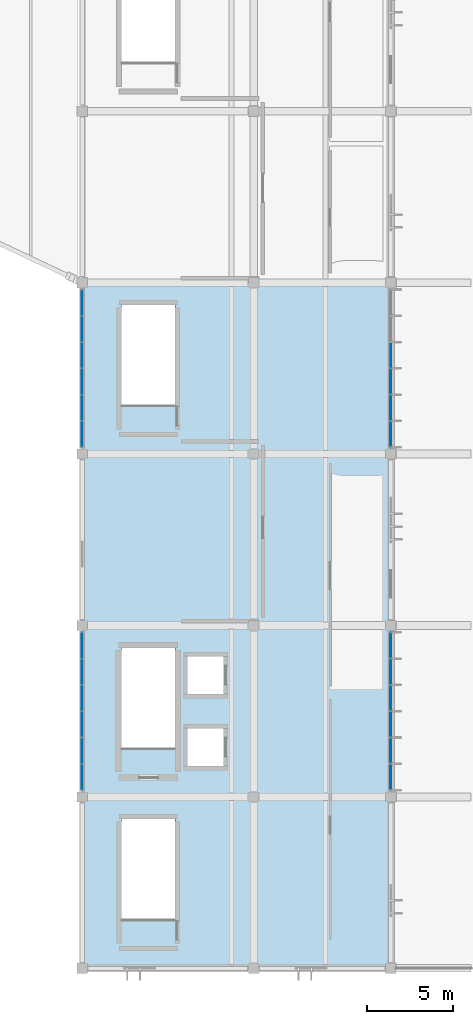
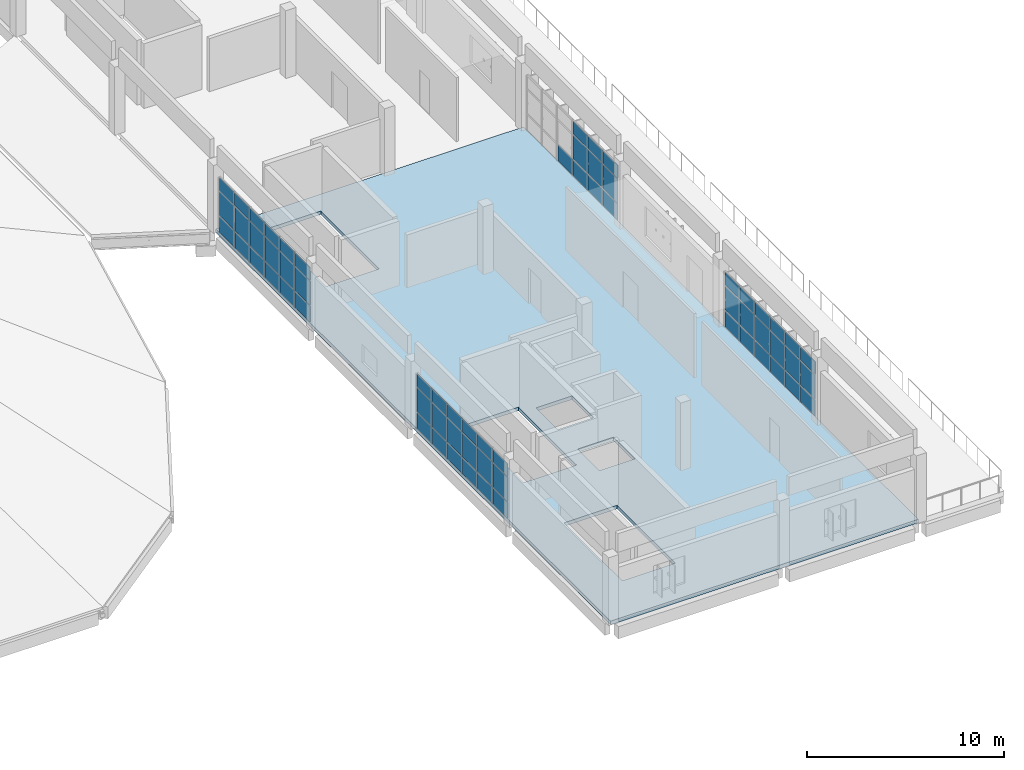
# One storey, part 16 of 39: 64 plates, 1 slab, 4 elements without a shape of their own.
"""IFC4 building model written with IfcOpenShell, lengths in metres."""

from ifc_helpers import new_model, si_unit, direction, frame, origin, origin_2d, place, context, subcontext, project, spatial, polyline, rectangle, outline, extrude, material, layer, layer_set, type_object, element, aggregate, save


model = new_model("IFC4")

# Units and contexts
model_context = context("Model", 3, precision=1e-05, world=origin(), true_north=direction((0.0, 1.0)))
body_context = subcontext(model_context, "Body", "Model", "MODEL_VIEW")
ifc_project = project(units=[si_unit("LENGTHUNIT", "METRE"), si_unit("AREAUNIT", "SQUARE_METRE"), si_unit("VOLUMEUNIT", "CUBIC_METRE"), si_unit("PLANEANGLEUNIT", "RADIAN"), si_unit("MASSUNIT", "GRAM", prefix="KILO")], contexts=[model_context])

# Site, building, storey
site_placement = place(None, origin())
site = spatial("IfcSite", under=ifc_project, at=site_placement, CompositionType="ELEMENT")
building_placement = place(site_placement, origin())
building = spatial("IfcBuilding", under=site, at=building_placement, Name="Corvandel Quay Wholesale Market", CompositionType="ELEMENT")
storey_placement = place(building_placement, frame((0.0, 0.0, 15.0)))
storey = spatial("IfcBuildingStorey", under=building, at=storey_placement, Name="L03", CompositionType="ELEMENT", Elevation=15.0)

# Curtain wall, plates
ifc_material_1 = material(Name="Bronze anodised aluminium and low-E insulated glazing", Category="aluminium")
ifc_layer_1 = layer(ifc_material_1, 0.197998046875)
ifc_layer_set_1 = layer_set([ifc_layer_1], Name="Bronze anodised aluminium and low-E insulated glazing")
curtain_wall_type_1 = type_object("IfcCurtainWallType", Name="Stick Curtain Wall System CW14 H4260", PredefinedType="NOTDEFINED", material=ifc_layer_set_1)
curtain_wall_1_placement = place(storey_placement, origin())
curtain_wall_1 = element("IfcCurtainWall", 1, at=curtain_wall_1_placement, inside=storey, type_object=curtain_wall_type_1, Name="Curtain Wall CW-0162", PredefinedType="NOTDEFINED")
ifc_material_2 = material(Name="Solar-control low-E insulated glazing", Category="glass")
ifc_layer_2 = layer(ifc_material_2, 0.0400390625)
ifc_layer_set_2 = layer_set([ifc_layer_2], Name="Solar-control low-E insulated glazing")
plate_type_1 = type_object("IfcPlateType", Name="Ceramic Fritted Spandrel Panel PN03 40mm", PredefinedType="CURTAIN_PANEL", material=ifc_layer_set_2)
plate_1_placement = place(storey_placement, frame((238.0, 21.166748046875, 2.6298828125), z_axis=(0.0, 0.0, 1.0), x_axis=(0.0, 1.0, 0.0)))
plate_1 = element("IfcPlate", 2, at=plate_1_placement, type_object=plate_type_1, Name="Glazing Panel CW-0162-P00-2", PredefinedType="CURTAIN_PANEL", context=body_context, shape_type="SweptSolid", body=[
    extrude(rectangle(XDim=1.46826171875, YDim=0.0400390625, at=origin_2d()), origin(), (0.0, 0.0, 1.0), 0.7900390625),
])
plate_2_placement = place(storey_placement, frame((238.0, 22.699951171875, 2.6298828125), z_axis=(0.0, 0.0, 1.0), x_axis=(0.0, 1.0, 0.0)))
plate_2 = element("IfcPlate", 3, at=plate_2_placement, type_object=plate_type_1, Name="Glazing Panel CW-0162-P01-2", PredefinedType="CURTAIN_PANEL", context=body_context, shape_type="SweptSolid", body=[
    extrude(rectangle(XDim=1.46826171875, YDim=0.0400390625, at=origin_2d()), origin(), (0.0, 0.0, 1.0), 0.7900390625),
])
plate_3_placement = place(storey_placement, frame((238.0, 24.2333984375, 2.6298828125), z_axis=(0.0, 0.0, 1.0), x_axis=(0.0, 1.0, 0.0)))
plate_3 = element("IfcPlate", 4, at=plate_3_placement, type_object=plate_type_1, Name="Glazing Panel CW-0162-P02-2", PredefinedType="CURTAIN_PANEL", context=body_context, shape_type="SweptSolid", body=[
    extrude(rectangle(XDim=1.46826171875, YDim=0.0400390625, at=origin_2d()), origin(), (0.0, 0.0, 1.0), 0.7900390625),
])
plate_4_placement = place(storey_placement, frame((238.0, 25.7666015625, 2.6298828125), z_axis=(0.0, 0.0, 1.0), x_axis=(0.0, 1.0, 0.0)))
plate_4 = element("IfcPlate", 5, at=plate_4_placement, type_object=plate_type_1, Name="Glazing Panel CW-0162-P03-2", PredefinedType="CURTAIN_PANEL", context=body_context, shape_type="SweptSolid", body=[
    extrude(rectangle(XDim=1.46826171875, YDim=0.0400390625, at=origin_2d()), origin(), (0.0, 0.0, 1.0), 0.7900390625),
])
plate_5_placement = place(storey_placement, frame((238.0, 27.300048828125, 2.6298828125), z_axis=(0.0, 0.0, 1.0), x_axis=(0.0, 1.0, 0.0)))
plate_5 = element("IfcPlate", 6, at=plate_5_placement, type_object=plate_type_1, Name="Glazing Panel CW-0162-P04-2", PredefinedType="CURTAIN_PANEL", context=body_context, shape_type="SweptSolid", body=[
    extrude(rectangle(XDim=1.46826171875, YDim=0.0400390625, at=origin_2d()), origin(), (0.0, 0.0, 1.0), 0.7900390625),
])
plate_6_placement = place(storey_placement, frame((238.0, 28.833251953125, 2.6298828125), z_axis=(0.0, 0.0, 1.0), x_axis=(0.0, 1.0, 0.0)))
plate_6 = element("IfcPlate", 7, at=plate_6_placement, type_object=plate_type_1, Name="Glazing Panel CW-0162-P05-2", PredefinedType="CURTAIN_PANEL", context=body_context, shape_type="SweptSolid", body=[
    extrude(rectangle(XDim=1.46826171875, YDim=0.0400390625, at=origin_2d()), origin(), (0.0, 0.0, 1.0), 0.7900390625),
])

ifc_layer_3 = layer(ifc_material_1, 0.14990234375)
ifc_layer_set_3 = layer_set([ifc_layer_3], Name="Bronze anodised aluminium and low-E insulated glazing")
curtain_wall_type_2 = type_object("IfcCurtainWallType", Name="Stick Curtain Wall System CW20 H4800", PredefinedType="NOTDEFINED", material=ifc_layer_set_3)
curtain_wall_2_placement = place(storey_placement, origin())
curtain_wall_2 = element("IfcCurtainWall", 8, at=curtain_wall_2_placement, inside=storey, type_object=curtain_wall_type_2, Name="Curtain Wall CW-0163", PredefinedType="NOTDEFINED")
plate_7_placement = place(storey_placement, frame((220.0, 21.166748046875, 2.6298828125), z_axis=(0.0, 0.0, 1.0), x_axis=(0.0, 1.0, 0.0)))
plate_7 = element("IfcPlate", 9, at=plate_7_placement, type_object=plate_type_1, Name="Glazing Panel CW-0163-P00-2", PredefinedType="CURTAIN_PANEL", context=body_context, shape_type="SweptSolid", body=[
    extrude(rectangle(XDim=1.46826171875, YDim=0.0400390625, at=origin_2d()), origin(), (0.0, 0.0, 1.0), 0.7900390625),
])
plate_8_placement = place(storey_placement, frame((220.0, 22.699951171875, 2.6298828125), z_axis=(0.0, 0.0, 1.0), x_axis=(0.0, 1.0, 0.0)))
plate_8 = element("IfcPlate", 10, at=plate_8_placement, type_object=plate_type_1, Name="Glazing Panel CW-0163-P01-2", PredefinedType="CURTAIN_PANEL", context=body_context, shape_type="SweptSolid", body=[
    extrude(rectangle(XDim=1.46826171875, YDim=0.0400390625, at=origin_2d()), origin(), (0.0, 0.0, 1.0), 0.7900390625),
])
plate_9_placement = place(storey_placement, frame((220.0, 24.2333984375, 2.6298828125), z_axis=(0.0, 0.0, 1.0), x_axis=(0.0, 1.0, 0.0)))
plate_9 = element("IfcPlate", 11, at=plate_9_placement, type_object=plate_type_1, Name="Glazing Panel CW-0163-P02-2", PredefinedType="CURTAIN_PANEL", context=body_context, shape_type="SweptSolid", body=[
    extrude(rectangle(XDim=1.46826171875, YDim=0.0400390625, at=origin_2d()), origin(), (0.0, 0.0, 1.0), 0.7900390625),
])
plate_10_placement = place(storey_placement, frame((220.0, 25.7666015625, 2.6298828125), z_axis=(0.0, 0.0, 1.0), x_axis=(0.0, 1.0, 0.0)))
plate_10 = element("IfcPlate", 12, at=plate_10_placement, type_object=plate_type_1, Name="Glazing Panel CW-0163-P03-2", PredefinedType="CURTAIN_PANEL", context=body_context, shape_type="SweptSolid", body=[
    extrude(rectangle(XDim=1.46826171875, YDim=0.0400390625, at=origin_2d()), origin(), (0.0, 0.0, 1.0), 0.7900390625),
])
plate_11_placement = place(storey_placement, frame((220.0, 27.300048828125, 2.6298828125), z_axis=(0.0, 0.0, 1.0), x_axis=(0.0, 1.0, 0.0)))
plate_11 = element("IfcPlate", 13, at=plate_11_placement, type_object=plate_type_1, Name="Glazing Panel CW-0163-P04-2", PredefinedType="CURTAIN_PANEL", context=body_context, shape_type="SweptSolid", body=[
    extrude(rectangle(XDim=1.46826171875, YDim=0.0400390625, at=origin_2d()), origin(), (0.0, 0.0, 1.0), 0.7900390625),
])
plate_12_placement = place(storey_placement, frame((220.0, 28.833251953125, 2.6298828125), z_axis=(0.0, 0.0, 1.0), x_axis=(0.0, 1.0, 0.0)))
plate_12 = element("IfcPlate", 14, at=plate_12_placement, type_object=plate_type_1, Name="Glazing Panel CW-0163-P05-2", PredefinedType="CURTAIN_PANEL", context=body_context, shape_type="SweptSolid", body=[
    extrude(rectangle(XDim=1.46826171875, YDim=0.0400390625, at=origin_2d()), origin(), (0.0, 0.0, 1.0), 0.7900390625),
])

ifc_layer_4 = layer(ifc_material_1, 0.162109375)
ifc_layer_set_4 = layer_set([ifc_layer_4], Name="Bronze anodised aluminium and low-E insulated glazing")
curtain_wall_type_3 = type_object("IfcCurtainWallType", Name="Stick Curtain Wall System CW16 H4440", PredefinedType="NOTDEFINED", material=ifc_layer_set_4)
curtain_wall_3_placement = place(storey_placement, origin())
curtain_wall_3 = element("IfcCurtainWall", 15, at=curtain_wall_3_placement, inside=storey, type_object=curtain_wall_type_3, Name="Curtain Wall CW-0164", PredefinedType="NOTDEFINED")
plate_13_placement = place(storey_placement, frame((238.0, 41.166748046875, 2.6298828125), z_axis=(0.0, 0.0, 1.0), x_axis=(0.0, 1.0, 0.0)))
plate_13 = element("IfcPlate", 16, at=plate_13_placement, type_object=plate_type_1, Name="Glazing Panel CW-0164-P00-2", PredefinedType="CURTAIN_PANEL", context=body_context, shape_type="SweptSolid", body=[
    extrude(rectangle(XDim=1.46826171875, YDim=0.0400390625, at=origin_2d()), origin(), (0.0, 0.0, 1.0), 0.7900390625),
])
plate_14_placement = place(storey_placement, frame((238.0, 42.699951171875, 2.6298828125), z_axis=(0.0, 0.0, 1.0), x_axis=(0.0, 1.0, 0.0)))
plate_14 = element("IfcPlate", 17, at=plate_14_placement, type_object=plate_type_1, Name="Glazing Panel CW-0164-P01-2", PredefinedType="CURTAIN_PANEL", context=body_context, shape_type="SweptSolid", body=[
    extrude(rectangle(XDim=1.46826171875, YDim=0.0400390625, at=origin_2d()), origin(), (0.0, 0.0, 1.0), 0.7900390625),
])
plate_15_placement = place(storey_placement, frame((238.0, 44.2333984375, 2.6298828125), z_axis=(0.0, 0.0, 1.0), x_axis=(0.0, 1.0, 0.0)))
plate_15 = element("IfcPlate", 18, at=plate_15_placement, type_object=plate_type_1, Name="Glazing Panel CW-0164-P02-2", PredefinedType="CURTAIN_PANEL", context=body_context, shape_type="SweptSolid", body=[
    extrude(rectangle(XDim=1.46826171875, YDim=0.0400390625, at=origin_2d()), origin(), (0.0, 0.0, 1.0), 0.7900390625),
])

ifc_layer_5 = layer(ifc_material_1, 0.174072265625)
ifc_layer_set_5 = layer_set([ifc_layer_5], Name="Bronze anodised aluminium and low-E insulated glazing")
curtain_wall_type_4 = type_object("IfcCurtainWallType", Name="Stick Curtain Wall System CW22 H4980", PredefinedType="NOTDEFINED", material=ifc_layer_set_5)
curtain_wall_4_placement = place(storey_placement, origin())
curtain_wall_4 = element("IfcCurtainWall", 19, at=curtain_wall_4_placement, inside=storey, type_object=curtain_wall_type_4, Name="Curtain Wall CW-0165", PredefinedType="NOTDEFINED")
plate_16_placement = place(storey_placement, frame((220.0, 41.166748046875, 2.6298828125), z_axis=(0.0, 0.0, 1.0), x_axis=(0.0, 1.0, 0.0)))
plate_16 = element("IfcPlate", 20, at=plate_16_placement, type_object=plate_type_1, Name="Glazing Panel CW-0165-P00-2", PredefinedType="CURTAIN_PANEL", context=body_context, shape_type="SweptSolid", body=[
    extrude(rectangle(XDim=1.46826171875, YDim=0.0400390625, at=origin_2d()), origin(), (0.0, 0.0, 1.0), 0.7900390625),
])
plate_17_placement = place(storey_placement, frame((220.0, 42.699951171875, 2.6298828125), z_axis=(0.0, 0.0, 1.0), x_axis=(0.0, 1.0, 0.0)))
plate_17 = element("IfcPlate", 21, at=plate_17_placement, type_object=plate_type_1, Name="Glazing Panel CW-0165-P01-2", PredefinedType="CURTAIN_PANEL", context=body_context, shape_type="SweptSolid", body=[
    extrude(rectangle(XDim=1.46826171875, YDim=0.0400390625, at=origin_2d()), origin(), (0.0, 0.0, 1.0), 0.7900390625),
])
plate_18_placement = place(storey_placement, frame((220.0, 44.2333984375, 2.6298828125), z_axis=(0.0, 0.0, 1.0), x_axis=(0.0, 1.0, 0.0)))
plate_18 = element("IfcPlate", 22, at=plate_18_placement, type_object=plate_type_1, Name="Glazing Panel CW-0165-P02-2", PredefinedType="CURTAIN_PANEL", context=body_context, shape_type="SweptSolid", body=[
    extrude(rectangle(XDim=1.46826171875, YDim=0.0400390625, at=origin_2d()), origin(), (0.0, 0.0, 1.0), 0.7900390625),
])
plate_19_placement = place(storey_placement, frame((220.0, 45.7666015625, 2.6298828125), z_axis=(0.0, 0.0, 1.0), x_axis=(0.0, 1.0, 0.0)))
plate_19 = element("IfcPlate", 23, at=plate_19_placement, type_object=plate_type_1, Name="Glazing Panel CW-0165-P03-2", PredefinedType="CURTAIN_PANEL", context=body_context, shape_type="SweptSolid", body=[
    extrude(rectangle(XDim=1.46826171875, YDim=0.0400390625, at=origin_2d()), origin(), (0.0, 0.0, 1.0), 0.7900390625),
])
plate_20_placement = place(storey_placement, frame((220.0, 47.300048828125, 2.6298828125), z_axis=(0.0, 0.0, 1.0), x_axis=(0.0, 1.0, 0.0)))
plate_20 = element("IfcPlate", 24, at=plate_20_placement, type_object=plate_type_1, Name="Glazing Panel CW-0165-P04-2", PredefinedType="CURTAIN_PANEL", context=body_context, shape_type="SweptSolid", body=[
    extrude(rectangle(XDim=1.46826171875, YDim=0.0400390625, at=origin_2d()), origin(), (0.0, 0.0, 1.0), 0.7900390625),
])
plate_21_placement = place(storey_placement, frame((220.0, 48.833251953125, 2.6298828125), z_axis=(0.0, 0.0, 1.0), x_axis=(0.0, 1.0, 0.0)))
plate_21 = element("IfcPlate", 25, at=plate_21_placement, type_object=plate_type_1, Name="Glazing Panel CW-0165-P05-2", PredefinedType="CURTAIN_PANEL", context=body_context, shape_type="SweptSolid", body=[
    extrude(rectangle(XDim=1.46826171875, YDim=0.0400390625, at=origin_2d()), origin(), (0.0, 0.0, 1.0), 0.7900390625),
])

# Slab
ifc_material_3 = material(Name="Precast concrete C45/55", Category="concrete")
ifc_layer_6 = layer(ifc_material_3, 0.219970703125)
ifc_layer_set_6 = layer_set([ifc_layer_6], Name="Precast concrete C45/55")
slab_type = type_object("IfcSlabType", Name="Composite Precast Office Floor Slab 220", PredefinedType="FLOOR", material=ifc_layer_set_6)
slab_placement = place(storey_placement, frame((0.0, 0.0, -0.219970703125)))
element("IfcSlab", 26, at=slab_placement, inside=storey, type_object=slab_type, Name="Slab SLB-0469", PredefinedType="FLOOR", context=body_context, shape_type="SweptSolid", body=[
    extrude(outline(polyline([(220.0, 50.0), (238.0, 50.0), (238.0, 10.0), (220.0, 10.0), (220.0, 50.0)]), holes=[polyline([(222.300048828125, 12.800048828125), (225.39990234375, 12.800048828125), (225.39990234375, 18.699951171875), (222.300048828125, 18.699951171875), (222.300048828125, 12.800048828125)]), polyline([(226.14990234375, 24.0), (226.14990234375, 21.800048828125), (228.25, 21.800048828125), (228.25, 24.0), (226.14990234375, 24.0)]), polyline([(222.300048828125, 28.699951171875), (222.300048828125, 22.800048828125), (225.39990234375, 22.800048828125), (225.39990234375, 28.699951171875), (222.300048828125, 28.699951171875)]), polyline([(226.14990234375, 28.199951171875), (226.14990234375, 26.0), (228.25, 26.0), (228.25, 28.199951171875), (226.14990234375, 28.199951171875)]), polyline([(222.300048828125, 48.699951171875), (222.300048828125, 42.800048828125), (225.39990234375, 42.800048828125), (225.39990234375, 48.699951171875), (222.300048828125, 48.699951171875)])]), origin(), (0.0, 0.0, 1.0), 0.219970703125),
])

# Plate
ifc_layer_7 = layer(ifc_material_2, 0.028076171875)
ifc_layer_set_7 = layer_set([ifc_layer_7], Name="Solar-control low-E insulated glazing")
plate_type_2 = type_object("IfcPlateType", Name="Double Low-E Vision Panel PN01 28mm", PredefinedType="CURTAIN_PANEL", material=ifc_layer_set_7)
plate_22_placement = place(storey_placement, frame((238.0, 21.166748046875, 0.02978515625), z_axis=(0.0, 0.0, 1.0), x_axis=(0.0, 1.0, 0.0)))
plate_22 = element("IfcPlate", 27, at=plate_22_placement, type_object=plate_type_2, Name="Glazing Panel CW-0162-P00-0", PredefinedType="CURTAIN_PANEL", context=body_context, shape_type="SweptSolid", body=[
    extrude(rectangle(XDim=1.46826171875, YDim=0.028076171875, at=origin_2d()), origin(), (0.0, 0.0, 1.0), 0.989990234375),
])

plate_23_placement = place(storey_placement, frame((238.0, 21.166748046875, 1.080078125), z_axis=(0.0, 0.0, 1.0), x_axis=(0.0, 1.0, 0.0)))
plate_23 = element("IfcPlate", 28, at=plate_23_placement, type_object=plate_type_2, Name="Glazing Panel CW-0162-P00-1", PredefinedType="CURTAIN_PANEL", context=body_context, shape_type="SweptSolid", body=[
    extrude(rectangle(XDim=1.46826171875, YDim=0.028076171875, at=origin_2d()), origin(), (0.0, 0.0, 1.0), 1.489990234375),
])

plate_24_placement = place(storey_placement, frame((238.0, 22.699951171875, 0.02978515625), z_axis=(0.0, 0.0, 1.0), x_axis=(0.0, 1.0, 0.0)))
plate_24 = element("IfcPlate", 29, at=plate_24_placement, type_object=plate_type_2, Name="Glazing Panel CW-0162-P01-0", PredefinedType="CURTAIN_PANEL", context=body_context, shape_type="SweptSolid", body=[
    extrude(rectangle(XDim=1.46826171875, YDim=0.028076171875, at=origin_2d()), origin(), (0.0, 0.0, 1.0), 0.989990234375),
])

plate_25_placement = place(storey_placement, frame((238.0, 22.699951171875, 1.080078125), z_axis=(0.0, 0.0, 1.0), x_axis=(0.0, 1.0, 0.0)))
plate_25 = element("IfcPlate", 30, at=plate_25_placement, type_object=plate_type_2, Name="Glazing Panel CW-0162-P01-1", PredefinedType="CURTAIN_PANEL", context=body_context, shape_type="SweptSolid", body=[
    extrude(rectangle(XDim=1.46826171875, YDim=0.028076171875, at=origin_2d()), origin(), (0.0, 0.0, 1.0), 1.489990234375),
])

plate_26_placement = place(storey_placement, frame((238.0, 24.2333984375, 0.02978515625), z_axis=(0.0, 0.0, 1.0), x_axis=(0.0, 1.0, 0.0)))
plate_26 = element("IfcPlate", 31, at=plate_26_placement, type_object=plate_type_2, Name="Glazing Panel CW-0162-P02-0", PredefinedType="CURTAIN_PANEL", context=body_context, shape_type="SweptSolid", body=[
    extrude(rectangle(XDim=1.46826171875, YDim=0.028076171875, at=origin_2d()), origin(), (0.0, 0.0, 1.0), 0.989990234375),
])

plate_27_placement = place(storey_placement, frame((238.0, 24.2333984375, 1.080078125), z_axis=(0.0, 0.0, 1.0), x_axis=(0.0, 1.0, 0.0)))
plate_27 = element("IfcPlate", 32, at=plate_27_placement, type_object=plate_type_2, Name="Glazing Panel CW-0162-P02-1", PredefinedType="CURTAIN_PANEL", context=body_context, shape_type="SweptSolid", body=[
    extrude(rectangle(XDim=1.46826171875, YDim=0.028076171875, at=origin_2d()), origin(), (0.0, 0.0, 1.0), 1.489990234375),
])

plate_28_placement = place(storey_placement, frame((238.0, 25.7666015625, 0.02978515625), z_axis=(0.0, 0.0, 1.0), x_axis=(0.0, 1.0, 0.0)))
plate_28 = element("IfcPlate", 33, at=plate_28_placement, type_object=plate_type_2, Name="Glazing Panel CW-0162-P03-0", PredefinedType="CURTAIN_PANEL", context=body_context, shape_type="SweptSolid", body=[
    extrude(rectangle(XDim=1.46826171875, YDim=0.028076171875, at=origin_2d()), origin(), (0.0, 0.0, 1.0), 0.989990234375),
])

plate_29_placement = place(storey_placement, frame((238.0, 25.7666015625, 1.080078125), z_axis=(0.0, 0.0, 1.0), x_axis=(0.0, 1.0, 0.0)))
plate_29 = element("IfcPlate", 34, at=plate_29_placement, type_object=plate_type_2, Name="Glazing Panel CW-0162-P03-1", PredefinedType="CURTAIN_PANEL", context=body_context, shape_type="SweptSolid", body=[
    extrude(rectangle(XDim=1.46826171875, YDim=0.028076171875, at=origin_2d()), origin(), (0.0, 0.0, 1.0), 1.489990234375),
])

plate_30_placement = place(storey_placement, frame((238.0, 27.300048828125, 0.02978515625), z_axis=(0.0, 0.0, 1.0), x_axis=(0.0, 1.0, 0.0)))
plate_30 = element("IfcPlate", 35, at=plate_30_placement, type_object=plate_type_2, Name="Glazing Panel CW-0162-P04-0", PredefinedType="CURTAIN_PANEL", context=body_context, shape_type="SweptSolid", body=[
    extrude(rectangle(XDim=1.46826171875, YDim=0.028076171875, at=origin_2d()), origin(), (0.0, 0.0, 1.0), 0.989990234375),
])

plate_31_placement = place(storey_placement, frame((238.0, 27.300048828125, 1.080078125), z_axis=(0.0, 0.0, 1.0), x_axis=(0.0, 1.0, 0.0)))
plate_31 = element("IfcPlate", 36, at=plate_31_placement, type_object=plate_type_2, Name="Glazing Panel CW-0162-P04-1", PredefinedType="CURTAIN_PANEL", context=body_context, shape_type="SweptSolid", body=[
    extrude(rectangle(XDim=1.46826171875, YDim=0.028076171875, at=origin_2d()), origin(), (0.0, 0.0, 1.0), 1.489990234375),
])

plate_32_placement = place(storey_placement, frame((238.0, 28.833251953125, 0.02978515625), z_axis=(0.0, 0.0, 1.0), x_axis=(0.0, 1.0, 0.0)))
plate_32 = element("IfcPlate", 37, at=plate_32_placement, type_object=plate_type_2, Name="Glazing Panel CW-0162-P05-0", PredefinedType="CURTAIN_PANEL", context=body_context, shape_type="SweptSolid", body=[
    extrude(rectangle(XDim=1.46826171875, YDim=0.028076171875, at=origin_2d()), origin(), (0.0, 0.0, 1.0), 0.989990234375),
])

plate_33_placement = place(storey_placement, frame((238.0, 28.833251953125, 1.080078125), z_axis=(0.0, 0.0, 1.0), x_axis=(0.0, 1.0, 0.0)))
plate_33 = element("IfcPlate", 38, at=plate_33_placement, type_object=plate_type_2, Name="Glazing Panel CW-0162-P05-1", PredefinedType="CURTAIN_PANEL", context=body_context, shape_type="SweptSolid", body=[
    extrude(rectangle(XDim=1.46826171875, YDim=0.028076171875, at=origin_2d()), origin(), (0.0, 0.0, 1.0), 1.489990234375),
])

aggregate(curtain_wall_1, [plate_22, plate_23, plate_1, plate_24, plate_25, plate_2, plate_26, plate_27, plate_3, plate_28, plate_29, plate_4, plate_30, plate_31, plate_5, plate_32, plate_33, plate_6])

plate_34_placement = place(storey_placement, frame((220.0, 21.166748046875, 0.02978515625), z_axis=(0.0, 0.0, 1.0), x_axis=(0.0, 1.0, 0.0)))
plate_34 = element("IfcPlate", 39, at=plate_34_placement, type_object=plate_type_2, Name="Glazing Panel CW-0163-P00-0", PredefinedType="CURTAIN_PANEL", context=body_context, shape_type="SweptSolid", body=[
    extrude(rectangle(XDim=1.46826171875, YDim=0.028076171875, at=origin_2d()), origin(), (0.0, 0.0, 1.0), 0.989990234375),
])

plate_35_placement = place(storey_placement, frame((220.0, 21.166748046875, 1.080078125), z_axis=(0.0, 0.0, 1.0), x_axis=(0.0, 1.0, 0.0)))
plate_35 = element("IfcPlate", 40, at=plate_35_placement, type_object=plate_type_2, Name="Glazing Panel CW-0163-P00-1", PredefinedType="CURTAIN_PANEL", context=body_context, shape_type="SweptSolid", body=[
    extrude(rectangle(XDim=1.46826171875, YDim=0.028076171875, at=origin_2d()), origin(), (0.0, 0.0, 1.0), 1.489990234375),
])

plate_36_placement = place(storey_placement, frame((220.0, 22.699951171875, 0.02978515625), z_axis=(0.0, 0.0, 1.0), x_axis=(0.0, 1.0, 0.0)))
plate_36 = element("IfcPlate", 41, at=plate_36_placement, type_object=plate_type_2, Name="Glazing Panel CW-0163-P01-0", PredefinedType="CURTAIN_PANEL", context=body_context, shape_type="SweptSolid", body=[
    extrude(rectangle(XDim=1.46826171875, YDim=0.028076171875, at=origin_2d()), origin(), (0.0, 0.0, 1.0), 0.989990234375),
])

plate_37_placement = place(storey_placement, frame((220.0, 22.699951171875, 1.080078125), z_axis=(0.0, 0.0, 1.0), x_axis=(0.0, 1.0, 0.0)))
plate_37 = element("IfcPlate", 42, at=plate_37_placement, type_object=plate_type_2, Name="Glazing Panel CW-0163-P01-1", PredefinedType="CURTAIN_PANEL", context=body_context, shape_type="SweptSolid", body=[
    extrude(rectangle(XDim=1.46826171875, YDim=0.028076171875, at=origin_2d()), origin(), (0.0, 0.0, 1.0), 1.489990234375),
])

plate_38_placement = place(storey_placement, frame((220.0, 24.2333984375, 0.02978515625), z_axis=(0.0, 0.0, 1.0), x_axis=(0.0, 1.0, 0.0)))
plate_38 = element("IfcPlate", 43, at=plate_38_placement, type_object=plate_type_2, Name="Glazing Panel CW-0163-P02-0", PredefinedType="CURTAIN_PANEL", context=body_context, shape_type="SweptSolid", body=[
    extrude(rectangle(XDim=1.46826171875, YDim=0.028076171875, at=origin_2d()), origin(), (0.0, 0.0, 1.0), 0.989990234375),
])

plate_39_placement = place(storey_placement, frame((220.0, 24.2333984375, 1.080078125), z_axis=(0.0, 0.0, 1.0), x_axis=(0.0, 1.0, 0.0)))
plate_39 = element("IfcPlate", 44, at=plate_39_placement, type_object=plate_type_2, Name="Glazing Panel CW-0163-P02-1", PredefinedType="CURTAIN_PANEL", context=body_context, shape_type="SweptSolid", body=[
    extrude(rectangle(XDim=1.46826171875, YDim=0.028076171875, at=origin_2d()), origin(), (0.0, 0.0, 1.0), 1.489990234375),
])

plate_40_placement = place(storey_placement, frame((220.0, 25.7666015625, 0.02978515625), z_axis=(0.0, 0.0, 1.0), x_axis=(0.0, 1.0, 0.0)))
plate_40 = element("IfcPlate", 45, at=plate_40_placement, type_object=plate_type_2, Name="Glazing Panel CW-0163-P03-0", PredefinedType="CURTAIN_PANEL", context=body_context, shape_type="SweptSolid", body=[
    extrude(rectangle(XDim=1.46826171875, YDim=0.028076171875, at=origin_2d()), origin(), (0.0, 0.0, 1.0), 0.989990234375),
])

plate_41_placement = place(storey_placement, frame((220.0, 25.7666015625, 1.080078125), z_axis=(0.0, 0.0, 1.0), x_axis=(0.0, 1.0, 0.0)))
plate_41 = element("IfcPlate", 46, at=plate_41_placement, type_object=plate_type_2, Name="Glazing Panel CW-0163-P03-1", PredefinedType="CURTAIN_PANEL", context=body_context, shape_type="SweptSolid", body=[
    extrude(rectangle(XDim=1.46826171875, YDim=0.028076171875, at=origin_2d()), origin(), (0.0, 0.0, 1.0), 1.489990234375),
])

plate_42_placement = place(storey_placement, frame((220.0, 27.300048828125, 0.02978515625), z_axis=(0.0, 0.0, 1.0), x_axis=(0.0, 1.0, 0.0)))
plate_42 = element("IfcPlate", 47, at=plate_42_placement, type_object=plate_type_2, Name="Glazing Panel CW-0163-P04-0", PredefinedType="CURTAIN_PANEL", context=body_context, shape_type="SweptSolid", body=[
    extrude(rectangle(XDim=1.46826171875, YDim=0.028076171875, at=origin_2d()), origin(), (0.0, 0.0, 1.0), 0.989990234375),
])

plate_43_placement = place(storey_placement, frame((220.0, 27.300048828125, 1.080078125), z_axis=(0.0, 0.0, 1.0), x_axis=(0.0, 1.0, 0.0)))
plate_43 = element("IfcPlate", 48, at=plate_43_placement, type_object=plate_type_2, Name="Glazing Panel CW-0163-P04-1", PredefinedType="CURTAIN_PANEL", context=body_context, shape_type="SweptSolid", body=[
    extrude(rectangle(XDim=1.46826171875, YDim=0.028076171875, at=origin_2d()), origin(), (0.0, 0.0, 1.0), 1.489990234375),
])

plate_44_placement = place(storey_placement, frame((220.0, 28.833251953125, 0.02978515625), z_axis=(0.0, 0.0, 1.0), x_axis=(0.0, 1.0, 0.0)))
plate_44 = element("IfcPlate", 49, at=plate_44_placement, type_object=plate_type_2, Name="Glazing Panel CW-0163-P05-0", PredefinedType="CURTAIN_PANEL", context=body_context, shape_type="SweptSolid", body=[
    extrude(rectangle(XDim=1.46826171875, YDim=0.028076171875, at=origin_2d()), origin(), (0.0, 0.0, 1.0), 0.989990234375),
])

plate_45_placement = place(storey_placement, frame((220.0, 28.833251953125, 1.080078125), z_axis=(0.0, 0.0, 1.0), x_axis=(0.0, 1.0, 0.0)))
plate_45 = element("IfcPlate", 50, at=plate_45_placement, type_object=plate_type_2, Name="Glazing Panel CW-0163-P05-1", PredefinedType="CURTAIN_PANEL", context=body_context, shape_type="SweptSolid", body=[
    extrude(rectangle(XDim=1.46826171875, YDim=0.028076171875, at=origin_2d()), origin(), (0.0, 0.0, 1.0), 1.489990234375),
])

aggregate(curtain_wall_2, [plate_34, plate_35, plate_7, plate_36, plate_37, plate_8, plate_38, plate_39, plate_9, plate_40, plate_41, plate_10, plate_42, plate_43, plate_11, plate_44, plate_45, plate_12])

plate_46_placement = place(storey_placement, frame((238.0, 41.166748046875, 0.02978515625), z_axis=(0.0, 0.0, 1.0), x_axis=(0.0, 1.0, 0.0)))
plate_46 = element("IfcPlate", 51, at=plate_46_placement, type_object=plate_type_2, Name="Glazing Panel CW-0164-P00-0", PredefinedType="CURTAIN_PANEL", context=body_context, shape_type="SweptSolid", body=[
    extrude(rectangle(XDim=1.46826171875, YDim=0.028076171875, at=origin_2d()), origin(), (0.0, 0.0, 1.0), 0.989990234375),
])

plate_47_placement = place(storey_placement, frame((238.0, 41.166748046875, 1.080078125), z_axis=(0.0, 0.0, 1.0), x_axis=(0.0, 1.0, 0.0)))
plate_47 = element("IfcPlate", 52, at=plate_47_placement, type_object=plate_type_2, Name="Glazing Panel CW-0164-P00-1", PredefinedType="CURTAIN_PANEL", context=body_context, shape_type="SweptSolid", body=[
    extrude(rectangle(XDim=1.46826171875, YDim=0.028076171875, at=origin_2d()), origin(), (0.0, 0.0, 1.0), 1.489990234375),
])

plate_48_placement = place(storey_placement, frame((238.0, 42.699951171875, 0.02978515625), z_axis=(0.0, 0.0, 1.0), x_axis=(0.0, 1.0, 0.0)))
plate_48 = element("IfcPlate", 53, at=plate_48_placement, type_object=plate_type_2, Name="Glazing Panel CW-0164-P01-0", PredefinedType="CURTAIN_PANEL", context=body_context, shape_type="SweptSolid", body=[
    extrude(rectangle(XDim=1.46826171875, YDim=0.028076171875, at=origin_2d()), origin(), (0.0, 0.0, 1.0), 0.989990234375),
])

plate_49_placement = place(storey_placement, frame((238.0, 42.699951171875, 1.080078125), z_axis=(0.0, 0.0, 1.0), x_axis=(0.0, 1.0, 0.0)))
plate_49 = element("IfcPlate", 54, at=plate_49_placement, type_object=plate_type_2, Name="Glazing Panel CW-0164-P01-1", PredefinedType="CURTAIN_PANEL", context=body_context, shape_type="SweptSolid", body=[
    extrude(rectangle(XDim=1.46826171875, YDim=0.028076171875, at=origin_2d()), origin(), (0.0, 0.0, 1.0), 1.489990234375),
])

plate_50_placement = place(storey_placement, frame((238.0, 44.2333984375, 0.02978515625), z_axis=(0.0, 0.0, 1.0), x_axis=(0.0, 1.0, 0.0)))
plate_50 = element("IfcPlate", 55, at=plate_50_placement, type_object=plate_type_2, Name="Glazing Panel CW-0164-P02-0", PredefinedType="CURTAIN_PANEL", context=body_context, shape_type="SweptSolid", body=[
    extrude(rectangle(XDim=1.46826171875, YDim=0.028076171875, at=origin_2d()), origin(), (0.0, 0.0, 1.0), 0.989990234375),
])

plate_51_placement = place(storey_placement, frame((238.0, 44.2333984375, 1.080078125), z_axis=(0.0, 0.0, 1.0), x_axis=(0.0, 1.0, 0.0)))
plate_51 = element("IfcPlate", 56, at=plate_51_placement, type_object=plate_type_2, Name="Glazing Panel CW-0164-P02-1", PredefinedType="CURTAIN_PANEL", context=body_context, shape_type="SweptSolid", body=[
    extrude(rectangle(XDim=1.46826171875, YDim=0.028076171875, at=origin_2d()), origin(), (0.0, 0.0, 1.0), 1.489990234375),
])

plate_52_placement = place(storey_placement, frame((238.0, 45.7666015625, 0.02978515625), z_axis=(0.0, 0.0, 1.0), x_axis=(0.0, 1.0, 0.0)))
plate_52 = element("IfcPlate", 57, at=plate_52_placement, type_object=plate_type_2, Name="Glazing Panel CW-0164-P03-0", PredefinedType="CURTAIN_PANEL", context=body_context, shape_type="SweptSolid", body=[
    extrude(rectangle(XDim=1.46826171875, YDim=0.028076171875, at=origin_2d()), origin(), (0.0, 0.0, 1.0), 0.989990234375),
])

aggregate(curtain_wall_3, [plate_46, plate_47, plate_13, plate_48, plate_49, plate_14, plate_50, plate_51, plate_15, plate_52])

plate_53_placement = place(storey_placement, frame((220.0, 41.166748046875, 0.02978515625), z_axis=(0.0, 0.0, 1.0), x_axis=(0.0, 1.0, 0.0)))
plate_53 = element("IfcPlate", 58, at=plate_53_placement, type_object=plate_type_2, Name="Glazing Panel CW-0165-P00-0", PredefinedType="CURTAIN_PANEL", context=body_context, shape_type="SweptSolid", body=[
    extrude(rectangle(XDim=1.46826171875, YDim=0.028076171875, at=origin_2d()), origin(), (0.0, 0.0, 1.0), 0.989990234375),
])

plate_54_placement = place(storey_placement, frame((220.0, 41.166748046875, 1.080078125), z_axis=(0.0, 0.0, 1.0), x_axis=(0.0, 1.0, 0.0)))
plate_54 = element("IfcPlate", 59, at=plate_54_placement, type_object=plate_type_2, Name="Glazing Panel CW-0165-P00-1", PredefinedType="CURTAIN_PANEL", context=body_context, shape_type="SweptSolid", body=[
    extrude(rectangle(XDim=1.46826171875, YDim=0.028076171875, at=origin_2d()), origin(), (0.0, 0.0, 1.0), 1.489990234375),
])

plate_55_placement = place(storey_placement, frame((220.0, 42.699951171875, 0.02978515625), z_axis=(0.0, 0.0, 1.0), x_axis=(0.0, 1.0, 0.0)))
plate_55 = element("IfcPlate", 60, at=plate_55_placement, type_object=plate_type_2, Name="Glazing Panel CW-0165-P01-0", PredefinedType="CURTAIN_PANEL", context=body_context, shape_type="SweptSolid", body=[
    extrude(rectangle(XDim=1.46826171875, YDim=0.028076171875, at=origin_2d()), origin(), (0.0, 0.0, 1.0), 0.989990234375),
])

plate_56_placement = place(storey_placement, frame((220.0, 42.699951171875, 1.080078125), z_axis=(0.0, 0.0, 1.0), x_axis=(0.0, 1.0, 0.0)))
plate_56 = element("IfcPlate", 61, at=plate_56_placement, type_object=plate_type_2, Name="Glazing Panel CW-0165-P01-1", PredefinedType="CURTAIN_PANEL", context=body_context, shape_type="SweptSolid", body=[
    extrude(rectangle(XDim=1.46826171875, YDim=0.028076171875, at=origin_2d()), origin(), (0.0, 0.0, 1.0), 1.489990234375),
])

plate_57_placement = place(storey_placement, frame((220.0, 44.2333984375, 0.02978515625), z_axis=(0.0, 0.0, 1.0), x_axis=(0.0, 1.0, 0.0)))
plate_57 = element("IfcPlate", 62, at=plate_57_placement, type_object=plate_type_2, Name="Glazing Panel CW-0165-P02-0", PredefinedType="CURTAIN_PANEL", context=body_context, shape_type="SweptSolid", body=[
    extrude(rectangle(XDim=1.46826171875, YDim=0.028076171875, at=origin_2d()), origin(), (0.0, 0.0, 1.0), 0.989990234375),
])

plate_58_placement = place(storey_placement, frame((220.0, 44.2333984375, 1.080078125), z_axis=(0.0, 0.0, 1.0), x_axis=(0.0, 1.0, 0.0)))
plate_58 = element("IfcPlate", 63, at=plate_58_placement, type_object=plate_type_2, Name="Glazing Panel CW-0165-P02-1", PredefinedType="CURTAIN_PANEL", context=body_context, shape_type="SweptSolid", body=[
    extrude(rectangle(XDim=1.46826171875, YDim=0.028076171875, at=origin_2d()), origin(), (0.0, 0.0, 1.0), 1.489990234375),
])

plate_59_placement = place(storey_placement, frame((220.0, 45.7666015625, 0.02978515625), z_axis=(0.0, 0.0, 1.0), x_axis=(0.0, 1.0, 0.0)))
plate_59 = element("IfcPlate", 64, at=plate_59_placement, type_object=plate_type_2, Name="Glazing Panel CW-0165-P03-0", PredefinedType="CURTAIN_PANEL", context=body_context, shape_type="SweptSolid", body=[
    extrude(rectangle(XDim=1.46826171875, YDim=0.028076171875, at=origin_2d()), origin(), (0.0, 0.0, 1.0), 0.989990234375),
])

plate_60_placement = place(storey_placement, frame((220.0, 45.7666015625, 1.080078125), z_axis=(0.0, 0.0, 1.0), x_axis=(0.0, 1.0, 0.0)))
plate_60 = element("IfcPlate", 65, at=plate_60_placement, type_object=plate_type_2, Name="Glazing Panel CW-0165-P03-1", PredefinedType="CURTAIN_PANEL", context=body_context, shape_type="SweptSolid", body=[
    extrude(rectangle(XDim=1.46826171875, YDim=0.028076171875, at=origin_2d()), origin(), (0.0, 0.0, 1.0), 1.489990234375),
])

plate_61_placement = place(storey_placement, frame((220.0, 47.300048828125, 0.02978515625), z_axis=(0.0, 0.0, 1.0), x_axis=(0.0, 1.0, 0.0)))
plate_61 = element("IfcPlate", 66, at=plate_61_placement, type_object=plate_type_2, Name="Glazing Panel CW-0165-P04-0", PredefinedType="CURTAIN_PANEL", context=body_context, shape_type="SweptSolid", body=[
    extrude(rectangle(XDim=1.46826171875, YDim=0.028076171875, at=origin_2d()), origin(), (0.0, 0.0, 1.0), 0.989990234375),
])

plate_62_placement = place(storey_placement, frame((220.0, 47.300048828125, 1.080078125), z_axis=(0.0, 0.0, 1.0), x_axis=(0.0, 1.0, 0.0)))
plate_62 = element("IfcPlate", 67, at=plate_62_placement, type_object=plate_type_2, Name="Glazing Panel CW-0165-P04-1", PredefinedType="CURTAIN_PANEL", context=body_context, shape_type="SweptSolid", body=[
    extrude(rectangle(XDim=1.46826171875, YDim=0.028076171875, at=origin_2d()), origin(), (0.0, 0.0, 1.0), 1.489990234375),
])

plate_63_placement = place(storey_placement, frame((220.0, 48.833251953125, 0.02978515625), z_axis=(0.0, 0.0, 1.0), x_axis=(0.0, 1.0, 0.0)))
plate_63 = element("IfcPlate", 68, at=plate_63_placement, type_object=plate_type_2, Name="Glazing Panel CW-0165-P05-0", PredefinedType="CURTAIN_PANEL", context=body_context, shape_type="SweptSolid", body=[
    extrude(rectangle(XDim=1.46826171875, YDim=0.028076171875, at=origin_2d()), origin(), (0.0, 0.0, 1.0), 0.989990234375),
])

plate_64_placement = place(storey_placement, frame((220.0, 48.833251953125, 1.080078125), z_axis=(0.0, 0.0, 1.0), x_axis=(0.0, 1.0, 0.0)))
plate_64 = element("IfcPlate", 69, at=plate_64_placement, type_object=plate_type_2, Name="Glazing Panel CW-0165-P05-1", PredefinedType="CURTAIN_PANEL", context=body_context, shape_type="SweptSolid", body=[
    extrude(rectangle(XDim=1.46826171875, YDim=0.028076171875, at=origin_2d()), origin(), (0.0, 0.0, 1.0), 1.489990234375),
])

aggregate(curtain_wall_4, [plate_53, plate_54, plate_16, plate_55, plate_56, plate_17, plate_57, plate_58, plate_18, plate_59, plate_60, plate_19, plate_61, plate_62, plate_20, plate_63, plate_64, plate_21])

save(model, "model.ifc")
